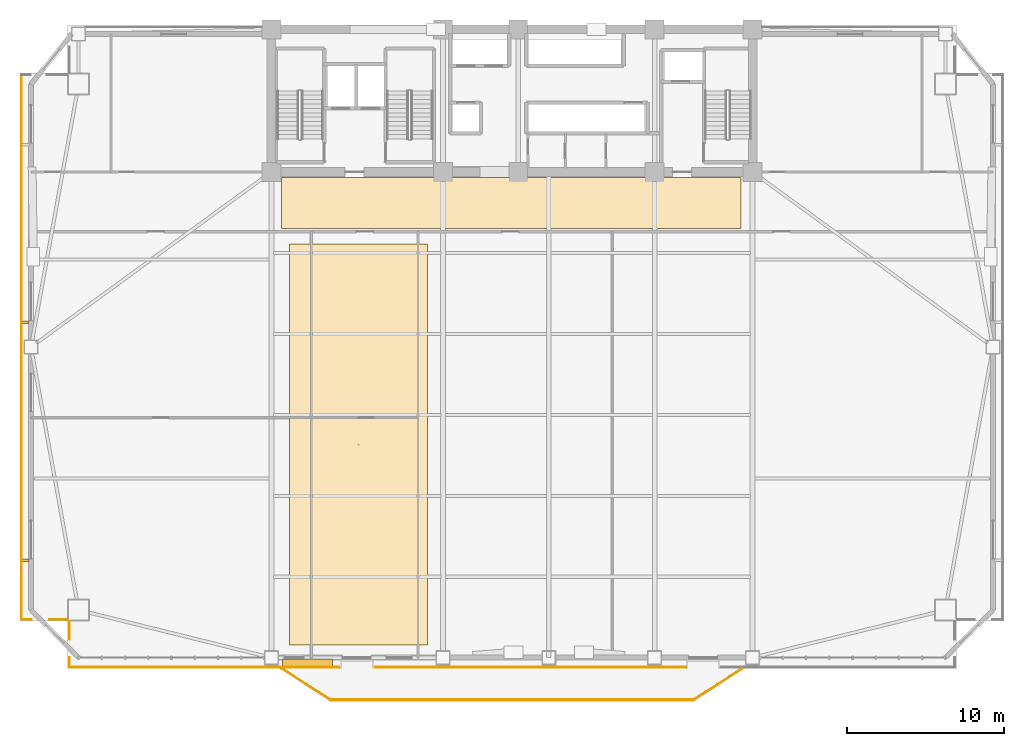
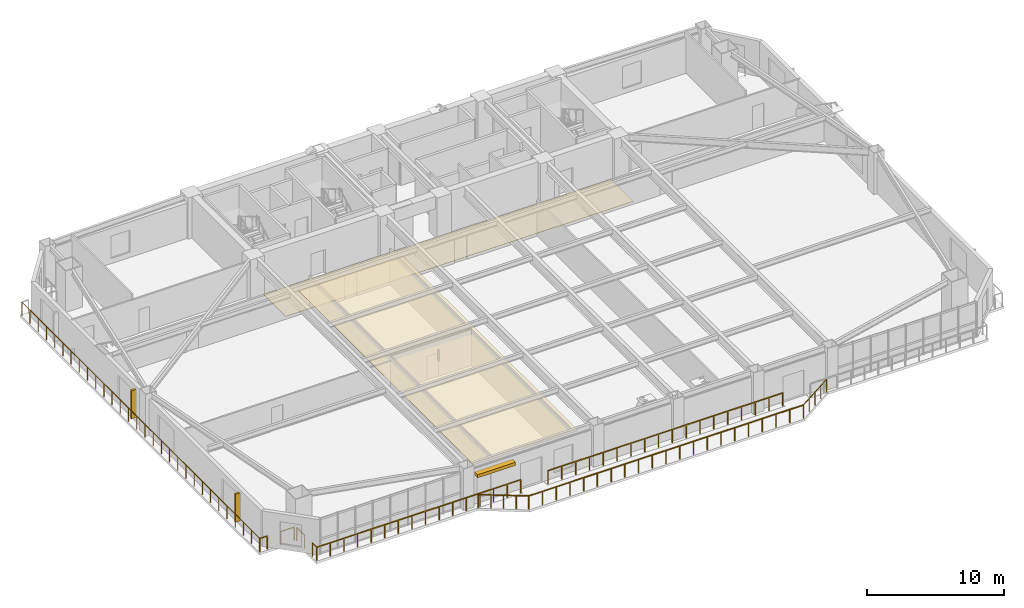
# One storey, part 12 of 15: 10 railings, 3 shading devices, 2 coverings.
"""IFC4 building model written with IfcOpenShell, lengths in metres."""

from ifc_helpers import new_model, si_unit, direction, frame, origin, origin_2d, place, context, subcontext, project, spatial, polyline, rectangle, outline, extrude, source, transform, mapped, material, layer, layer_set, type_object, element, save


model = new_model("IFC4")

# Units and contexts
model_context = context("Model", 3, precision=1e-05, world=origin(), true_north=direction((0.0, 1.0)))
body_context = subcontext(model_context, "Body", "Model", "MODEL_VIEW")
ifc_project = project(units=[si_unit("LENGTHUNIT", "METRE"), si_unit("AREAUNIT", "SQUARE_METRE"), si_unit("VOLUMEUNIT", "CUBIC_METRE"), si_unit("PLANEANGLEUNIT", "RADIAN"), si_unit("MASSUNIT", "GRAM", prefix="KILO")], contexts=[model_context])

# Site, building, storey
site_placement = place(None, origin())
site = spatial("IfcSite", under=ifc_project, at=site_placement, CompositionType="ELEMENT")
building_placement = place(site_placement, origin())
building = spatial("IfcBuilding", under=site, at=building_placement, Name="Giltprow Tower", CompositionType="ELEMENT")
storey_placement = place(building_placement, frame((0.0, 0.0, 103.60009765625)))
storey = spatial("IfcBuildingStorey", under=building, at=storey_placement, Name="L25", CompositionType="ELEMENT", Elevation=103.60009765625)

# Coverings
ifc_material_1 = material(Name="Acoustic mineral fibre", Category="gypsum")
ifc_layer_1 = layer(ifc_material_1, 0.030029296875, Name="Acoustic mineral fibre")
ifc_layer_set_1 = layer_set([ifc_layer_1], Name="Acoustic mineral fibre")
covering_type_1 = type_object("IfcCoveringType", Name="COV-CLG-ACOUSTIC", PredefinedType="CEILING", material=ifc_layer_set_1)
covering_1_placement = place(storey_placement, frame((0.0, 0.0, 2.719970703125)))
element("IfcCovering", 1, at=covering_1_placement, inside=storey, type_object=covering_type_1, Name="L25 Office Acoustic Ceiling", PredefinedType="CEILING", context=body_context, shape_type="SweptSolid", body=[
    extrude(outline(polyline([(21.0, 7.261962890625), (29.800048828125, 7.261962890625), (29.800048828125, 32.85009765625), (21.0, 32.85009765625), (21.0, 7.261962890625)])), origin(), (0.0, 0.0, 1.0), 0.030029296875),
])
ifc_material_2 = material(Name="Honed granite", Category="masonry")
ifc_layer_2 = layer(ifc_material_2, 0.030029296875, Name="Honed granite")
ifc_layer_set_2 = layer_set([ifc_layer_2], Name="Honed granite")
covering_type_2 = type_object("IfcCoveringType", Name="COV-FLR-STONE", PredefinedType="FLOORING", material=ifc_layer_set_2)
covering_2_placement = place(storey_placement, origin())
element("IfcCovering", 2, at=covering_2_placement, inside=storey, type_object=covering_type_2, Name="L25 Office Corridor Stone Flooring", PredefinedType="FLOORING", context=body_context, shape_type="SweptSolid", body=[
    extrude(outline(polyline([(20.5, 33.85009765625), (49.800048828125, 33.85009765625), (49.800048828125, 37.10009765625), (20.5, 37.10009765625), (20.5, 33.85009765625)])), origin(), (0.0, 0.0, 1.0), 0.02978515625),
])

# Railings
ifc_material_3 = material(Name="Anodized bronze", Category="metal")
railing_type = type_object("IfcRailingType", Name="RAIL-BALC-GUARD-1200", PredefinedType="BALUSTRADE", material=ifc_material_3)
railing_1_placement = place(storey_placement, frame((20.52001953125, 5.761962890625, 0.0)))
element("IfcRailing", 3, at=railing_1_placement, inside=storey, type_object=railing_type, Name="L25 Waterfront Balcony Balustrade Seg 1", PredefinedType="BALUSTRADE", context=body_context, shape_type="SweptSolid", body=[
    extrude(rectangle(XDim=0.048095703125, YDim=0.048095703125, at=origin_2d()), frame((0.0, 0.0, 1.17578125), z_axis=(0.84277487735, -0.538266203757, 0.0), x_axis=(0.538266203757, 0.84277487735, 0.0)), (0.0, 0.0, 1.0), 3.678466796875),
    extrude(rectangle(XDim=0.0419921875, YDim=0.0419921875, at=origin_2d()), origin(), (0.0, 0.0, 1.0), 1.15185546875),
    extrude(rectangle(XDim=0.0419921875, YDim=0.0419921875, at=origin_2d()), frame((0.77490234375, -0.4951171875, 0.0)), (0.0, 0.0, 1.0), 1.15185546875),
    extrude(rectangle(XDim=0.0419921875, YDim=0.0419921875, at=origin_2d()), frame((1.550048828125, -0.989990234375, 0.0)), (0.0, 0.0, 1.0), 1.15185546875),
    extrude(rectangle(XDim=0.0419921875, YDim=0.0419921875, at=origin_2d()), frame((2.3251953125, -1.48486328125, 0.0)), (0.0, 0.0, 1.0), 1.15185546875),
    extrude(rectangle(XDim=0.0419921875, YDim=0.0419921875, at=origin_2d()), frame((3.10009765625, -1.97998046875, 0.0)), (0.0, 0.0, 1.0), 1.15185546875),
])
railing_2_placement = place(storey_placement, frame((23.6201171875, 3.781982421875, 0.0)))
element("IfcRailing", 4, at=railing_2_placement, inside=storey, type_object=railing_type, Name="L25 Waterfront Balcony Balustrade Seg 2", PredefinedType="BALUSTRADE", context=body_context, shape_type="SweptSolid", body=[
    extrude(rectangle(XDim=0.048095703125, YDim=0.048095703125, at=origin_2d()), frame((0.0, 0.0, 1.17578125), z_axis=(1.0, 0.0, 0.0), x_axis=(0.0, 1.0, 0.0)), (0.0, 0.0, 1.0), 23.159912109375),
    extrude(rectangle(XDim=0.0419921875, YDim=0.0419921875, at=origin_2d()), origin(), (0.0, 0.0, 1.0), 1.15185546875),
    extrude(rectangle(XDim=0.0419921875, YDim=0.0419921875, at=origin_2d()), frame((1.157958984375, 0.0, 0.0)), (0.0, 0.0, 1.0), 1.15185546875),
    extrude(rectangle(XDim=0.0419921875, YDim=0.0419921875, at=origin_2d()), frame((2.31591796875, 0.0, 0.0)), (0.0, 0.0, 1.0), 1.15185546875),
    extrude(rectangle(XDim=0.0419921875, YDim=0.0419921875, at=origin_2d()), frame((3.473876953125, 0.0, 0.0)), (0.0, 0.0, 1.0), 1.15185546875),
    extrude(rectangle(XDim=0.0419921875, YDim=0.0419921875, at=origin_2d()), frame((4.632080078125, 0.0, 0.0)), (0.0, 0.0, 1.0), 1.15185546875),
    extrude(rectangle(XDim=0.0419921875, YDim=0.0419921875, at=origin_2d()), frame((5.7900390625, 0.0, 0.0)), (0.0, 0.0, 1.0), 1.15185546875),
    extrude(rectangle(XDim=0.0419921875, YDim=0.0419921875, at=origin_2d()), frame((6.947998046875, 0.0, 0.0)), (0.0, 0.0, 1.0), 1.15185546875),
    extrude(rectangle(XDim=0.0419921875, YDim=0.0419921875, at=origin_2d()), frame((8.10595703125, 0.0, 0.0)), (0.0, 0.0, 1.0), 1.15185546875),
    extrude(rectangle(XDim=0.0419921875, YDim=0.0419921875, at=origin_2d()), frame((9.263916015625, 0.0, 0.0)), (0.0, 0.0, 1.0), 1.15185546875),
    extrude(rectangle(XDim=0.0419921875, YDim=0.0419921875, at=origin_2d()), frame((10.421875, 0.0, 0.0)), (0.0, 0.0, 1.0), 1.15185546875),
    extrude(rectangle(XDim=0.0419921875, YDim=0.0419921875, at=origin_2d()), frame((11.580078125, 0.0, 0.0)), (0.0, 0.0, 1.0), 1.15185546875),
    extrude(rectangle(XDim=0.0419921875, YDim=0.0419921875, at=origin_2d()), frame((12.738037109375, 0.0, 0.0)), (0.0, 0.0, 1.0), 1.15185546875),
    extrude(rectangle(XDim=0.0419921875, YDim=0.0419921875, at=origin_2d()), frame((13.89599609375, 0.0, 0.0)), (0.0, 0.0, 1.0), 1.15185546875),
    extrude(rectangle(XDim=0.0419921875, YDim=0.0419921875, at=origin_2d()), frame((15.053955078125, 0.0, 0.0)), (0.0, 0.0, 1.0), 1.15185546875),
    extrude(rectangle(XDim=0.0419921875, YDim=0.0419921875, at=origin_2d()), frame((16.2119140625, 0.0, 0.0)), (0.0, 0.0, 1.0), 1.15185546875),
    extrude(rectangle(XDim=0.0419921875, YDim=0.0419921875, at=origin_2d()), frame((17.369873046875, 0.0, 0.0)), (0.0, 0.0, 1.0), 1.15185546875),
    extrude(rectangle(XDim=0.0419921875, YDim=0.0419921875, at=origin_2d()), frame((18.52783203125, 0.0, 0.0)), (0.0, 0.0, 1.0), 1.15185546875),
    extrude(rectangle(XDim=0.0419921875, YDim=0.0419921875, at=origin_2d()), frame((19.68603515625, 0.0, 0.0)), (0.0, 0.0, 1.0), 1.15185546875),
    extrude(rectangle(XDim=0.0419921875, YDim=0.0419921875, at=origin_2d()), frame((20.843994140625, 0.0, 0.0)), (0.0, 0.0, 1.0), 1.15185546875),
    extrude(rectangle(XDim=0.0419921875, YDim=0.0419921875, at=origin_2d()), frame((22.001953125, 0.0, 0.0)), (0.0, 0.0, 1.0), 1.15185546875),
    extrude(rectangle(XDim=0.0419921875, YDim=0.0419921875, at=origin_2d()), frame((23.159912109375, 0.0, 0.0)), (0.0, 0.0, 1.0), 1.15185546875),
])
railing_3_placement = place(storey_placement, frame((46.780029296875, 3.781982421875, 0.0)))
element("IfcRailing", 5, at=railing_3_placement, inside=storey, type_object=railing_type, Name="L25 Waterfront Balcony Balustrade Seg 3", PredefinedType="BALUSTRADE", context=body_context, shape_type="SweptSolid", body=[
    extrude(rectangle(XDim=0.048095703125, YDim=0.048095703125, at=origin_2d()), frame((0.0, 0.0, 1.17578125), z_axis=(0.842755646126, 0.538296313309, 0.0), x_axis=(-0.538296313309, 0.842755646126, 0.0)), (0.0, 0.0, 1.0), 3.67822265625),
    extrude(rectangle(XDim=0.0419921875, YDim=0.0419921875, at=origin_2d()), origin(), (0.0, 0.0, 1.0), 1.15185546875),
    extrude(rectangle(XDim=0.0419921875, YDim=0.0419921875, at=origin_2d()), frame((0.77490234375, 0.4951171875, 0.0)), (0.0, 0.0, 1.0), 1.15185546875),
    extrude(rectangle(XDim=0.0419921875, YDim=0.0419921875, at=origin_2d()), frame((1.5498046875, 0.989990234375, 0.0)), (0.0, 0.0, 1.0), 1.15185546875),
    extrude(rectangle(XDim=0.0419921875, YDim=0.0419921875, at=origin_2d()), frame((2.324951171875, 1.48486328125, 0.0)), (0.0, 0.0, 1.0), 1.15185546875),
    extrude(rectangle(XDim=0.0419921875, YDim=0.0419921875, at=origin_2d()), frame((3.099853515625, 1.97998046875, 0.0)), (0.0, 0.0, 1.0), 1.15185546875),
])
railing_4_placement = place(storey_placement, frame((6.952880859375, 5.862060546875, 0.0)))
element("IfcRailing", 6, at=railing_4_placement, inside=storey, type_object=railing_type, Name="L25 Corner Apron Edge Balustrade 1", PredefinedType="BALUSTRADE", context=body_context, shape_type="SweptSolid", body=[
    extrude(rectangle(XDim=0.048095703125, YDim=0.048095703125, at=origin_2d()), frame((0.0, 0.0, 1.17578125), z_axis=(0.0, 1.0, 0.0), x_axis=(-1.0, 0.0, 0.0)), (0.0, 0.0, 1.0), 0.619873046875),
    extrude(rectangle(XDim=0.0419921875, YDim=0.0419921875, at=origin_2d()), origin(), (0.0, 0.0, 1.0), 1.15185546875),
    extrude(rectangle(XDim=0.0419921875, YDim=0.0419921875, at=origin_2d()), frame((0.0, 0.619873046875, 0.0)), (0.0, 0.0, 1.0), 1.15185546875),
])
railing_5_placement = place(storey_placement, frame((6.952880859375, 7.64208984375, 0.0)))
element("IfcRailing", 7, at=railing_5_placement, inside=storey, type_object=railing_type, Name="L25 Corner Apron Edge Balustrade 2", PredefinedType="BALUSTRADE", context=body_context, shape_type="SweptSolid", body=[
    extrude(rectangle(XDim=0.048095703125, YDim=0.048095703125, at=origin_2d()), frame((0.0, 0.0, 1.17578125), z_axis=(0.0, 1.0, 0.0), x_axis=(-1.0, 0.0, 0.0)), (0.0, 0.0, 1.0), 1.1279296875),
    extrude(rectangle(XDim=0.0419921875, YDim=0.0419921875, at=origin_2d()), origin(), (0.0, 0.0, 1.0), 1.15185546875),
    extrude(rectangle(XDim=0.0419921875, YDim=0.0419921875, at=origin_2d()), frame((0.0, 1.1279296875, 0.0)), (0.0, 0.0, 1.0), 1.15185546875),
])
railing_6_placement = place(storey_placement, frame((6.818115234375, 8.905029296875, 0.0)))
element("IfcRailing", 8, at=railing_6_placement, inside=storey, type_object=railing_type, Name="L25 Corner Apron Edge Balustrade 3", PredefinedType="BALUSTRADE", context=body_context, shape_type="SweptSolid", body=[
    extrude(rectangle(XDim=0.048095703125, YDim=0.048095703125, at=origin_2d()), frame((0.0, 0.0, 1.17578125), z_axis=(-1.0, 0.0, 0.0), x_axis=(0.0, -1.0, 0.0)), (0.0, 0.0, 1.0), 1.128173828125),
    extrude(rectangle(XDim=0.0419921875, YDim=0.0419921875, at=origin_2d()), origin(), (0.0, 0.0, 1.0), 1.15185546875),
    extrude(rectangle(XDim=0.0419921875, YDim=0.0419921875, at=origin_2d()), frame((-1.128173828125, 0.0, 0.0)), (0.0, 0.0, 1.0), 1.15185546875),
])
railing_7_placement = place(storey_placement, frame((4.530029296875, 8.905029296875, 0.0)))
element("IfcRailing", 9, at=railing_7_placement, inside=storey, type_object=railing_type, Name="L25 Corner Apron Edge Balustrade 4", PredefinedType="BALUSTRADE", context=body_context, shape_type="SweptSolid", body=[
    extrude(rectangle(XDim=0.048095703125, YDim=0.048095703125, at=origin_2d()), frame((0.0, 0.0, 1.17578125), z_axis=(-1.0, 0.0, 0.0), x_axis=(0.0, -1.0, 0.0)), (0.0, 0.0, 1.0), 0.6201171875),
    extrude(rectangle(XDim=0.0419921875, YDim=0.0419921875, at=origin_2d()), origin(), (0.0, 0.0, 1.0), 1.15185546875),
    extrude(rectangle(XDim=0.0419921875, YDim=0.0419921875, at=origin_2d()), frame((-0.6201171875, 0.0, 0.0)), (0.0, 0.0, 1.0), 1.15185546875),
])
railing_8_placement = place(storey_placement, frame((3.909912109375, 8.905029296875, 0.0)))
element("IfcRailing", 10, at=railing_8_placement, inside=storey, type_object=railing_type, Name="L25 Corner Apron Edge Balustrade 5", PredefinedType="BALUSTRADE", context=body_context, shape_type="SweptSolid", body=[
    extrude(rectangle(XDim=0.048095703125, YDim=0.048095703125, at=origin_2d()), frame((0.0, 0.0, 1.17578125), z_axis=(0.0, 1.0, 0.0), x_axis=(-1.0, 0.0, 0.0)), (0.0, 0.0, 1.0), 34.7509765625),
    extrude(rectangle(XDim=0.0419921875, YDim=0.0419921875, at=origin_2d()), origin(), (0.0, 0.0, 1.0), 1.15185546875),
    extrude(rectangle(XDim=0.0419921875, YDim=0.0419921875, at=origin_2d()), frame((0.0, 1.1982421875, 0.0)), (0.0, 0.0, 1.0), 1.15185546875),
    extrude(rectangle(XDim=0.0419921875, YDim=0.0419921875, at=origin_2d()), frame((0.0, 2.396728515625, 0.0)), (0.0, 0.0, 1.0), 1.15185546875),
    extrude(rectangle(XDim=0.0419921875, YDim=0.0419921875, at=origin_2d()), frame((0.0, 3.594970703125, 0.0)), (0.0, 0.0, 1.0), 1.15185546875),
    extrude(rectangle(XDim=0.0419921875, YDim=0.0419921875, at=origin_2d()), frame((0.0, 4.793212890625, 0.0)), (0.0, 0.0, 1.0), 1.15185546875),
    extrude(rectangle(XDim=0.0419921875, YDim=0.0419921875, at=origin_2d()), frame((0.0, 5.991455078125, 0.0)), (0.0, 0.0, 1.0), 1.15185546875),
    extrude(rectangle(XDim=0.0419921875, YDim=0.0419921875, at=origin_2d()), frame((0.0, 7.18994140625, 0.0)), (0.0, 0.0, 1.0), 1.15185546875),
    extrude(rectangle(XDim=0.0419921875, YDim=0.0419921875, at=origin_2d()), frame((0.0, 8.38818359375, 0.0)), (0.0, 0.0, 1.0), 1.15185546875),
    extrude(rectangle(XDim=0.0419921875, YDim=0.0419921875, at=origin_2d()), frame((0.0, 9.58642578125, 0.0)), (0.0, 0.0, 1.0), 1.15185546875),
    extrude(rectangle(XDim=0.0419921875, YDim=0.0419921875, at=origin_2d()), frame((0.0, 10.78466796875, 0.0)), (0.0, 0.0, 1.0), 1.15185546875),
    extrude(rectangle(XDim=0.0419921875, YDim=0.0419921875, at=origin_2d()), frame((0.0, 11.983154296875, 0.0)), (0.0, 0.0, 1.0), 1.15185546875),
    extrude(rectangle(XDim=0.0419921875, YDim=0.0419921875, at=origin_2d()), frame((0.0, 13.181396484375, 0.0)), (0.0, 0.0, 1.0), 1.15185546875),
    extrude(rectangle(XDim=0.0419921875, YDim=0.0419921875, at=origin_2d()), frame((0.0, 14.379638671875, 0.0)), (0.0, 0.0, 1.0), 1.15185546875),
    extrude(rectangle(XDim=0.0419921875, YDim=0.0419921875, at=origin_2d()), frame((0.0, 15.578125, 0.0)), (0.0, 0.0, 1.0), 1.15185546875),
    extrude(rectangle(XDim=0.0419921875, YDim=0.0419921875, at=origin_2d()), frame((0.0, 16.7763671875, 0.0)), (0.0, 0.0, 1.0), 1.15185546875),
    extrude(rectangle(XDim=0.0419921875, YDim=0.0419921875, at=origin_2d()), frame((0.0, 17.974609375, 0.0)), (0.0, 0.0, 1.0), 1.15185546875),
    extrude(rectangle(XDim=0.0419921875, YDim=0.0419921875, at=origin_2d()), frame((0.0, 19.1728515625, 0.0)), (0.0, 0.0, 1.0), 1.15185546875),
    extrude(rectangle(XDim=0.0419921875, YDim=0.0419921875, at=origin_2d()), frame((0.0, 20.371337890625, 0.0)), (0.0, 0.0, 1.0), 1.15185546875),
    extrude(rectangle(XDim=0.0419921875, YDim=0.0419921875, at=origin_2d()), frame((0.0, 21.569580078125, 0.0)), (0.0, 0.0, 1.0), 1.15185546875),
    extrude(rectangle(XDim=0.0419921875, YDim=0.0419921875, at=origin_2d()), frame((0.0, 22.767822265625, 0.0)), (0.0, 0.0, 1.0), 1.15185546875),
    extrude(rectangle(XDim=0.0419921875, YDim=0.0419921875, at=origin_2d()), frame((0.0, 23.96630859375, 0.0)), (0.0, 0.0, 1.0), 1.15185546875),
    extrude(rectangle(XDim=0.0419921875, YDim=0.0419921875, at=origin_2d()), frame((0.0, 25.16455078125, 0.0)), (0.0, 0.0, 1.0), 1.15185546875),
    extrude(rectangle(XDim=0.0419921875, YDim=0.0419921875, at=origin_2d()), frame((0.0, 26.36279296875, 0.0)), (0.0, 0.0, 1.0), 1.15185546875),
    extrude(rectangle(XDim=0.0419921875, YDim=0.0419921875, at=origin_2d()), frame((0.0, 27.56103515625, 0.0)), (0.0, 0.0, 1.0), 1.15185546875),
    extrude(rectangle(XDim=0.0419921875, YDim=0.0419921875, at=origin_2d()), frame((0.0, 28.759521484375, 0.0)), (0.0, 0.0, 1.0), 1.15185546875),
    extrude(rectangle(XDim=0.0419921875, YDim=0.0419921875, at=origin_2d()), frame((0.0, 29.957763671875, 0.0)), (0.0, 0.0, 1.0), 1.15185546875),
    extrude(rectangle(XDim=0.0419921875, YDim=0.0419921875, at=origin_2d()), frame((0.0, 31.156005859375, 0.0)), (0.0, 0.0, 1.0), 1.15185546875),
    extrude(rectangle(XDim=0.0419921875, YDim=0.0419921875, at=origin_2d()), frame((0.0, 32.354248046875, 0.0)), (0.0, 0.0, 1.0), 1.15185546875),
    extrude(rectangle(XDim=0.0419921875, YDim=0.0419921875, at=origin_2d()), frame((0.0, 33.552734375, 0.0)), (0.0, 0.0, 1.0), 1.15185546875),
    extrude(rectangle(XDim=0.0419921875, YDim=0.0419921875, at=origin_2d()), frame((0.0, 34.7509765625, 0.0)), (0.0, 0.0, 1.0), 1.15185546875),
])
railing_9_placement = place(storey_placement, frame((46.25, 5.862060546875, 0.0)))
element("IfcRailing", 11, at=railing_9_placement, inside=storey, type_object=railing_type, Name="L25 Corner Apron Edge Balustrade 20", PredefinedType="BALUSTRADE", context=body_context, shape_type="SweptSolid", body=[
    extrude(rectangle(XDim=0.048095703125, YDim=0.048095703125, at=origin_2d()), frame((0.0, 0.0, 1.17578125), z_axis=(-1.0, 0.0, 0.0), x_axis=(0.0, -1.0, 0.0)), (0.0, 0.0, 1.0), 19.800048828125),
    extrude(rectangle(XDim=0.0419921875, YDim=0.0419921875, at=origin_2d()), origin(), (0.0, 0.0, 1.0), 1.15185546875),
    extrude(rectangle(XDim=0.0419921875, YDim=0.0419921875, at=origin_2d()), frame((-1.164794921875, 0.0, 0.0)), (0.0, 0.0, 1.0), 1.15185546875),
    extrude(rectangle(XDim=0.0419921875, YDim=0.0419921875, at=origin_2d()), frame((-2.329345703125, 0.0, 0.0)), (0.0, 0.0, 1.0), 1.15185546875),
    extrude(rectangle(XDim=0.0419921875, YDim=0.0419921875, at=origin_2d()), frame((-3.494140625, 0.0, 0.0)), (0.0, 0.0, 1.0), 1.15185546875),
    extrude(rectangle(XDim=0.0419921875, YDim=0.0419921875, at=origin_2d()), frame((-4.658935546875, 0.0, 0.0)), (0.0, 0.0, 1.0), 1.15185546875),
    extrude(rectangle(XDim=0.0419921875, YDim=0.0419921875, at=origin_2d()), frame((-5.823486328125, 0.0, 0.0)), (0.0, 0.0, 1.0), 1.15185546875),
    extrude(rectangle(XDim=0.0419921875, YDim=0.0419921875, at=origin_2d()), frame((-6.98828125, 0.0, 0.0)), (0.0, 0.0, 1.0), 1.15185546875),
    extrude(rectangle(XDim=0.0419921875, YDim=0.0419921875, at=origin_2d()), frame((-8.153076171875, 0.0, 0.0)), (0.0, 0.0, 1.0), 1.15185546875),
    extrude(rectangle(XDim=0.0419921875, YDim=0.0419921875, at=origin_2d()), frame((-9.317626953125, 0.0, 0.0)), (0.0, 0.0, 1.0), 1.15185546875),
    extrude(rectangle(XDim=0.0419921875, YDim=0.0419921875, at=origin_2d()), frame((-10.482421875, 0.0, 0.0)), (0.0, 0.0, 1.0), 1.15185546875),
    extrude(rectangle(XDim=0.0419921875, YDim=0.0419921875, at=origin_2d()), frame((-11.64697265625, 0.0, 0.0)), (0.0, 0.0, 1.0), 1.15185546875),
    extrude(rectangle(XDim=0.0419921875, YDim=0.0419921875, at=origin_2d()), frame((-12.811767578125, 0.0, 0.0)), (0.0, 0.0, 1.0), 1.15185546875),
    extrude(rectangle(XDim=0.0419921875, YDim=0.0419921875, at=origin_2d()), frame((-13.9765625, 0.0, 0.0)), (0.0, 0.0, 1.0), 1.15185546875),
    extrude(rectangle(XDim=0.0419921875, YDim=0.0419921875, at=origin_2d()), frame((-15.14111328125, 0.0, 0.0)), (0.0, 0.0, 1.0), 1.15185546875),
    extrude(rectangle(XDim=0.0419921875, YDim=0.0419921875, at=origin_2d()), frame((-16.305908203125, 0.0, 0.0)), (0.0, 0.0, 1.0), 1.15185546875),
    extrude(rectangle(XDim=0.0419921875, YDim=0.0419921875, at=origin_2d()), frame((-17.470703125, 0.0, 0.0)), (0.0, 0.0, 1.0), 1.15185546875),
    extrude(rectangle(XDim=0.0419921875, YDim=0.0419921875, at=origin_2d()), frame((-18.63525390625, 0.0, 0.0)), (0.0, 0.0, 1.0), 1.15185546875),
    extrude(rectangle(XDim=0.0419921875, YDim=0.0419921875, at=origin_2d()), frame((-19.800048828125, 0.0, 0.0)), (0.0, 0.0, 1.0), 1.15185546875),
])
railing_10_placement = place(storey_placement, frame((24.14990234375, 5.862060546875, 0.0)))
element("IfcRailing", 12, at=railing_10_placement, inside=storey, type_object=railing_type, Name="L25 Corner Apron Edge Balustrade 21", PredefinedType="BALUSTRADE", context=body_context, shape_type="SweptSolid", body=[
    extrude(rectangle(XDim=0.048095703125, YDim=0.048095703125, at=origin_2d()), frame((0.0, 0.0, 1.17578125), z_axis=(-1.0, 0.0, 0.0), x_axis=(0.0, -1.0, 0.0)), (0.0, 0.0, 1.0), 17.197021484375),
    extrude(rectangle(XDim=0.0419921875, YDim=0.0419921875, at=origin_2d()), origin(), (0.0, 0.0, 1.0), 1.15185546875),
    extrude(rectangle(XDim=0.0419921875, YDim=0.0419921875, at=origin_2d()), frame((-1.146484375, 0.0, 0.0)), (0.0, 0.0, 1.0), 1.15185546875),
    extrude(rectangle(XDim=0.0419921875, YDim=0.0419921875, at=origin_2d()), frame((-2.29296875, 0.0, 0.0)), (0.0, 0.0, 1.0), 1.15185546875),
    extrude(rectangle(XDim=0.0419921875, YDim=0.0419921875, at=origin_2d()), frame((-3.439453125, 0.0, 0.0)), (0.0, 0.0, 1.0), 1.15185546875),
    extrude(rectangle(XDim=0.0419921875, YDim=0.0419921875, at=origin_2d()), frame((-4.5859375, 0.0, 0.0)), (0.0, 0.0, 1.0), 1.15185546875),
    extrude(rectangle(XDim=0.0419921875, YDim=0.0419921875, at=origin_2d()), frame((-5.732421875, 0.0, 0.0)), (0.0, 0.0, 1.0), 1.15185546875),
    extrude(rectangle(XDim=0.0419921875, YDim=0.0419921875, at=origin_2d()), frame((-6.87890625, 0.0, 0.0)), (0.0, 0.0, 1.0), 1.15185546875),
    extrude(rectangle(XDim=0.0419921875, YDim=0.0419921875, at=origin_2d()), frame((-8.025390625, 0.0, 0.0)), (0.0, 0.0, 1.0), 1.15185546875),
    extrude(rectangle(XDim=0.0419921875, YDim=0.0419921875, at=origin_2d()), frame((-9.171630859375, 0.0, 0.0)), (0.0, 0.0, 1.0), 1.15185546875),
    extrude(rectangle(XDim=0.0419921875, YDim=0.0419921875, at=origin_2d()), frame((-10.318115234375, 0.0, 0.0)), (0.0, 0.0, 1.0), 1.15185546875),
    extrude(rectangle(XDim=0.0419921875, YDim=0.0419921875, at=origin_2d()), frame((-11.464599609375, 0.0, 0.0)), (0.0, 0.0, 1.0), 1.15185546875),
    extrude(rectangle(XDim=0.0419921875, YDim=0.0419921875, at=origin_2d()), frame((-12.611083984375, 0.0, 0.0)), (0.0, 0.0, 1.0), 1.15185546875),
    extrude(rectangle(XDim=0.0419921875, YDim=0.0419921875, at=origin_2d()), frame((-13.757568359375, 0.0, 0.0)), (0.0, 0.0, 1.0), 1.15185546875),
    extrude(rectangle(XDim=0.0419921875, YDim=0.0419921875, at=origin_2d()), frame((-14.904052734375, 0.0, 0.0)), (0.0, 0.0, 1.0), 1.15185546875),
    extrude(rectangle(XDim=0.0419921875, YDim=0.0419921875, at=origin_2d()), frame((-16.050537109375, 0.0, 0.0)), (0.0, 0.0, 1.0), 1.15185546875),
    extrude(rectangle(XDim=0.0419921875, YDim=0.0419921875, at=origin_2d()), frame((-17.197021484375, 0.0, 0.0)), (0.0, 0.0, 1.0), 1.15185546875),
])

# Shading devices
shading_device_type_1 = type_object("IfcShadingDeviceType", Name="SHD-FIN-420", PredefinedType="USERDEFINED", material=ifc_material_3)
shared_shape_1 = source(origin(), body_context, "Body", "SweptSolid", [
    extrude(rectangle(XDim=0.419921875, YDim=0.159912109375, at=origin_2d()), origin(), (0.0, 0.0, 1.0), 2.5),
])
for number, where, z_axis, x_axis, name in (
    (13, (4.18994140625, 12.669921875, 0.349853515625), (0.0, 0.0, 1.0), (1.0, 0.0, 0.0), "L25 W Bronze Vertical Fin 1-1"),
    (14, (4.18994140625, 27.8701171875, 0.349853515625), (0.0, 0.0, 1.0), (1.0, 0.0, 0.0), "L25 W Bronze Vertical Fin 2-1"),
):
    element("IfcShadingDevice", number, at=place(storey_placement, frame(where, z_axis=z_axis, x_axis=x_axis)), inside=storey, type_object=shading_device_type_1, Name=name, ObjectType="FIN", PredefinedType="USERDEFINED", context=body_context, shape_type="MappedRepresentation", body=[
        mapped(shared_shape_1, transform((0.0, 0.0, 0.0), x_axis=(1.0, 0.0, 0.0), y_axis=(0.0, 1.0, 0.0), z_axis=(0.0, 0.0, 1.0), scale=1.0)),
    ])
shading_device_type_2 = type_object("IfcShadingDeviceType", Name="SHD-LOUVRE-320", PredefinedType="JALOUSIE", material=ifc_material_3)
shared_shape_2 = source(origin(), body_context, "Body", "SweptSolid", [
    extrude(rectangle(XDim=3.199951171875, YDim=0.449951171875, at=origin_2d()), origin(), (0.0, 0.0, 1.0), 0.280029296875),
])
shading_device_placement = place(storey_placement, frame((22.14990234375, 6.14208984375, 2.56005859375), z_axis=(0.0, 0.0, 1.0), x_axis=(1.0, 0.0, 0.0)))
element("IfcShadingDevice", 15, at=shading_device_placement, inside=storey, type_object=shading_device_type_2, Name="L25 Bronze Sunshade Louvre S-2", PredefinedType="JALOUSIE", context=body_context, shape_type="MappedRepresentation", body=[
    mapped(shared_shape_2, transform((0.0, 0.0, 0.0), x_axis=(1.0, 0.0, 0.0), y_axis=(0.0, 1.0, 0.0), z_axis=(0.0, 0.0, 1.0), scale=1.0)),
])

save(model, "model.ifc")
